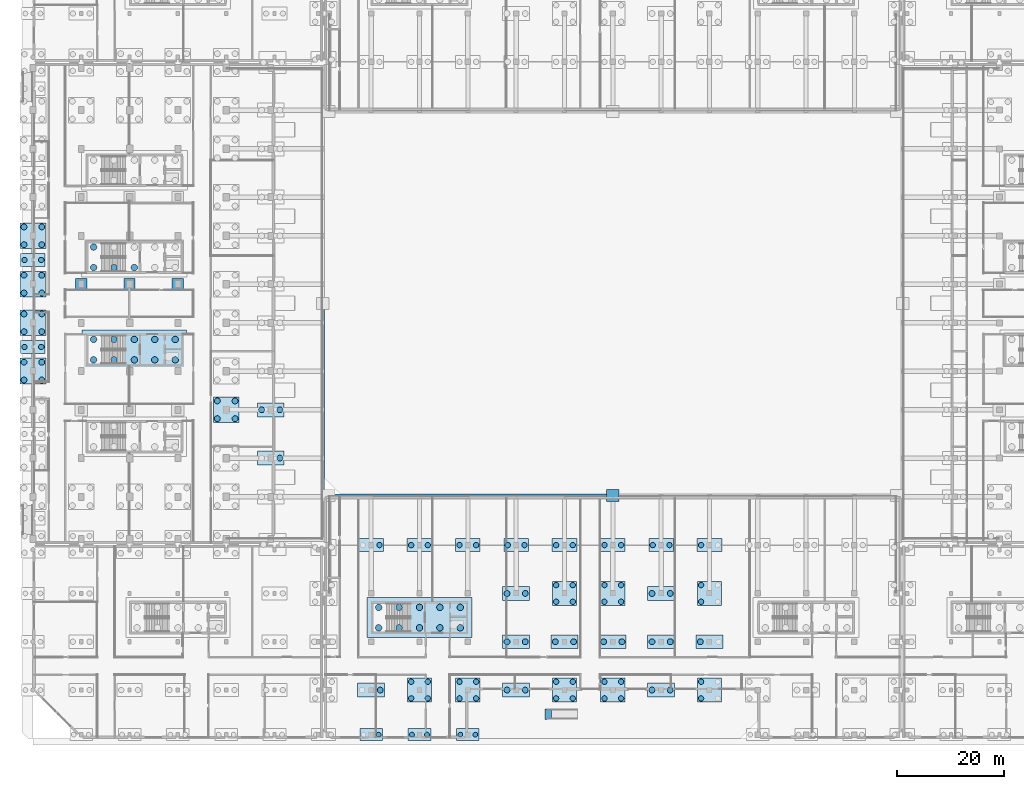
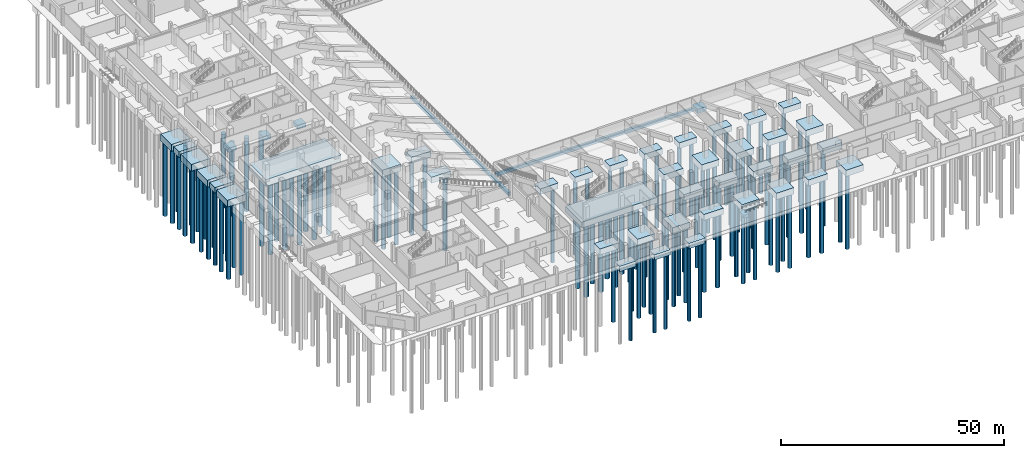
# One storey, part 2 of 53: 116 piles, 47 footings.
"""IFC4 building model written with IfcOpenShell, lengths in metres."""

from ifc_helpers import new_model, si_unit, direction, frame, origin, origin_2d, place, context, subcontext, project, spatial, rectangle, circle, extrude, material, layer, layer_set, material_profile, profile_set, type_object, element, save


model = new_model("IFC4")

# Units and contexts
model_context = context("Model", 3, precision=1e-05, world=origin(), true_north=direction((0.0, 1.0)))
body_context = subcontext(model_context, "Body", "Model", "MODEL_VIEW")
ifc_project = project(units=[si_unit("LENGTHUNIT", "METRE"), si_unit("AREAUNIT", "SQUARE_METRE"), si_unit("VOLUMEUNIT", "CUBIC_METRE"), si_unit("PLANEANGLEUNIT", "RADIAN"), si_unit("MASSUNIT", "GRAM", prefix="KILO"), si_unit("THERMODYNAMICTEMPERATUREUNIT", "KELVIN"), si_unit("POWERUNIT", "WATT")], contexts=[model_context])

# Site, building, storey
site_placement = place(None, origin())
site = spatial("IfcSite", under=ifc_project, at=site_placement, CompositionType="ELEMENT")
building_placement = place(site_placement, origin())
building = spatial("IfcBuilding", under=site, at=building_placement, Name="Sindhuravela Promenade Stadium", CompositionType="ELEMENT")
storey_placement = place(building_placement, origin())
storey = spatial("IfcBuildingStorey", under=building, at=storey_placement, Name="L00", CompositionType="ELEMENT", Elevation=0.0)

# Footings
ifc_material_1 = material(Name="Concrete M40", Category="concrete")
ifc_material_profile_1 = material_profile(ifc_material_1, rectangle(XDim=0.60009765625, YDim=0.89990234375, at=origin_2d()), Name="RC 600x900")
ifc_profile_set_1 = profile_set([ifc_material_profile_1], Name="Concrete M40")
footing_type_1 = type_object("IfcFootingType", Name="FD-FB-600x900", PredefinedType="FOOTING_BEAM", material=ifc_profile_set_1)
footing_1_placement = place(storey_placement, frame((54.0, 37.10009765625, -0.449951171875), z_axis=(0.0, 1.0, 0.0), x_axis=(-1.0, 0.0, 0.0)))
element("IfcFooting", 1, at=footing_1_placement, inside=storey, type_object=footing_type_1, Name="Ground tie beam FB-PW-W1", PredefinedType="FOOTING_BEAM", context=body_context, shape_type="SweptSolid", body=[
    extrude(rectangle(XDim=0.60009765625, YDim=0.89990234375, at=origin_2d()), origin(), (0.0, 0.0, 1.0), 43.89990234375),
])
footing_2_placement = place(storey_placement, frame((55.10009765625, 45.25, -0.449951171875), z_axis=(1.0, 0.0, 0.0), x_axis=(0.0, 1.0, 0.0)))
element("IfcFooting", 2, at=footing_2_placement, inside=storey, type_object=footing_type_1, Name="Ground tie beam FB-PW-S1", PredefinedType="FOOTING_BEAM", context=body_context, shape_type="SweptSolid", body=[
    extrude(rectangle(XDim=0.60009765625, YDim=0.89990234375, at=origin_2d()), origin(), (0.0, 0.0, 1.0), 52.89990234375),
])
ifc_material_2 = material(Name="Concrete M50", Category="concrete")
ifc_layer_1 = layer(ifc_material_2, 1.89990234375)
ifc_layer_set_1 = layer_set([ifc_layer_1], Name="Concrete M50")
footing_type_2 = type_object("IfcFootingType", Name="FD-PC-19500x7400x1900", PredefinedType="PILE_CAP", material=ifc_layer_set_1)
footing_3_placement = place(storey_placement, frame((18.89990234375, 72.39990234375, -1.89990234375), z_axis=(0.0, 0.0, 1.0), x_axis=(1.0, 0.0, 0.0)))
element("IfcFooting", 3, at=footing_3_placement, inside=storey, type_object=footing_type_2, Name="Core pile cap C02", PredefinedType="PILE_CAP", context=body_context, shape_type="SweptSolid", body=[
    extrude(rectangle(XDim=19.5, YDim=7.39990234375, at=origin_2d()), origin(), (0.0, 0.0, 1.0), 1.89990234375),
])
ifc_layer_2 = layer(ifc_material_2, 1.60009765625)
ifc_layer_set_2 = layer_set([ifc_layer_2], Name="Concrete M50")
footing_type_3 = type_object("IfcFootingType", Name="FD-PC-19600x7400x1600", PredefinedType="PILE_CAP", material=ifc_layer_set_2)
footing_4_placement = place(storey_placement, frame((72.0, 22.5, -1.60009765625), z_axis=(0.0, 0.0, 1.0), x_axis=(1.0, 0.0, 0.0)))
element("IfcFooting", 4, at=footing_4_placement, inside=storey, type_object=footing_type_3, Name="Core pile cap C11", PredefinedType="PILE_CAP", context=body_context, shape_type="SweptSolid", body=[
    extrude(rectangle(XDim=19.60009765625, YDim=7.39990234375, at=origin_2d()), origin(), (0.0, 0.0, 1.0), 1.60009765625),
])
ifc_layer_3 = layer(ifc_material_2, 1.449951171875)
ifc_layer_set_3 = layer_set([ifc_layer_3], Name="Concrete M50")
footing_type_4 = type_object("IfcFootingType", Name="FD-PC-4200x2250x1450", PredefinedType="PILE_CAP", material=ifc_layer_set_3)
for number, where, z_axis, x_axis, name in (
    (5, (63.0, 0.699951171875, -1.4501953125), (0.0, 0.0, 1.0), (1.0, 0.0, 0.0), "Pile cap PC30-0212"),
    (6, (72.0, 0.699951171875, -1.4501953125), (0.0, 0.0, 1.0), (1.0, 0.0, 0.0), "Pile cap PC30-0217"),
    (7, (81.0, 0.699951171875, -1.4501953125), (0.0, 0.0, 1.0), (1.0, 0.0, 0.0), "Pile cap PC30-0222"),
):
    element("IfcFooting", number, at=place(storey_placement, frame(where, z_axis=z_axis, x_axis=x_axis)), inside=storey, type_object=footing_type_4, Name=name, PredefinedType="PILE_CAP", context=body_context, shape_type="SweptSolid", body=[
        extrude(rectangle(XDim=4.199951171875, YDim=2.25, at=origin_2d()), origin(), (0.0, 0.0, 1.0), 1.449951171875),
    ])
ifc_layer_4 = layer(ifc_material_2, 1.75)
ifc_layer_set_4 = layer_set([ifc_layer_4], Name="Concrete M50")
footing_type_5 = type_object("IfcFootingType", Name="FD-PC-4500x4500x1750", PredefinedType="PILE_CAP", material=ifc_layer_set_4)
for number, where, z_axis, x_axis, name in (
    (8, (72.0, 9.0, -1.75), (0.0, 0.0, 1.0), (1.0, 0.0, 0.0), "Pile cap PC26-0218"),
    (9, (81.0, 9.0, -1.75), (0.0, 0.0, 1.0), (1.0, 0.0, 0.0), "Pile cap PC26-0223"),
    (10, (99.0, 9.0, -1.75), (0.0, 0.0, 1.0), (1.0, 0.0, 0.0), "Pile cap PC26-0231"),
    (11, (99.0, 27.0, -1.75), (0.0, 0.0, 1.0), (1.0, 0.0, 0.0), "Pile cap PC26-0233"),
    (12, (108.0, 9.0, -1.75), (0.0, 0.0, 1.0), (1.0, 0.0, 0.0), "Pile cap PC26-0235"),
    (13, (108.0, 27.0, -1.75), (0.0, 0.0, 1.0), (1.0, 0.0, 0.0), "Pile cap PC26-0237"),
    (14, (126.0, 9.0, -1.75), (0.0, 0.0, 1.0), (1.0, 0.0, 0.0), "Pile cap PC26-0243"),
    (15, (126.0, 27.0, -1.75), (0.0, 0.0, 1.0), (1.0, 0.0, 0.0), "Pile cap PC26-0245"),
):
    element("IfcFooting", number, at=place(storey_placement, frame(where, z_axis=z_axis, x_axis=x_axis)), inside=storey, type_object=footing_type_5, Name=name, PredefinedType="PILE_CAP", context=body_context, shape_type="SweptSolid", body=[
        extrude(rectangle(XDim=4.5, YDim=4.5, at=origin_2d()), origin(), (0.0, 0.0, 1.0), 1.75),
    ])
ifc_layer_5 = layer(ifc_material_2, 1.550048828125)
ifc_layer_set_5 = layer_set([ifc_layer_5], Name="Concrete M50")
footing_type_6 = type_object("IfcFootingType", Name="FD-PC-4600x2450x1550", PredefinedType="PILE_CAP", material=ifc_layer_set_5)
for number, where, z_axis, x_axis, name in (
    (16, (63.0, 36.0, -1.5498046875), (0.0, 0.0, 1.0), (1.0, 0.0, 0.0), "Pile cap PC25-0216"),
    (17, (72.0, 36.0, -1.5498046875), (0.0, 0.0, 1.0), (1.0, 0.0, 0.0), "Pile cap PC25-0221"),
    (18, (81.0, 36.0, -1.5498046875), (0.0, 0.0, 1.0), (1.0, 0.0, 0.0), "Pile cap PC25-0226"),
    (19, (90.0, 36.0, -1.5498046875), (0.0, 0.0, 1.0), (1.0, 0.0, 0.0), "Pile cap PC25-0230"),
    (20, (99.0, 36.0, -1.5498046875), (0.0, 0.0, 1.0), (1.0, 0.0, 0.0), "Pile cap PC25-0234"),
    (21, (108.0, 36.0, -1.5498046875), (0.0, 0.0, 1.0), (1.0, 0.0, 0.0), "Pile cap PC25-0238"),
    (22, (117.0, 36.0, -1.5498046875), (0.0, 0.0, 1.0), (1.0, 0.0, 0.0), "Pile cap PC25-0242"),
    (23, (126.0, 36.0, -1.5498046875), (0.0, 0.0, 1.0), (1.0, 0.0, 0.0), "Pile cap PC25-0246"),
    (24, (0.0, 72.89990234375, -1.5498046875), (0.0, 0.0, 1.0), (1.0, 0.0, 0.0), "Pile cap PC25-0363"),
    (25, (0.0, 89.10009765625, -1.5498046875), (0.0, 0.0, 1.0), (1.0, 0.0, 0.0), "Pile cap PC25-0365"),
):
    element("IfcFooting", number, at=place(storey_placement, frame(where, z_axis=z_axis, x_axis=x_axis)), inside=storey, type_object=footing_type_6, Name=name, PredefinedType="PILE_CAP", context=body_context, shape_type="SweptSolid", body=[
        extrude(rectangle(XDim=4.60009765625, YDim=2.449951171875, at=origin_2d()), origin(), (0.0, 0.0, 1.0), 1.550048828125),
    ])
ifc_layer_6 = layer(ifc_material_2, 1.85009765625)
ifc_layer_set_6 = layer_set([ifc_layer_6], Name="Concrete M50")
footing_type_7 = type_object("IfcFootingType", Name="FD-PC-4800x4800x1850", PredefinedType="PILE_CAP", material=ifc_layer_set_6)
for number, where, z_axis, x_axis, name in (
    (26, (0.0, 68.39990234375, -1.85009765625), (0.0, 0.0, 1.0), (1.0, 0.0, 0.0), "Pile cap PC18-0005"),
    (27, (0.0, 77.39990234375, -1.85009765625), (0.0, 0.0, 1.0), (1.0, 0.0, 0.0), "Pile cap PC18-0006"),
    (28, (0.0, 84.60009765625, -1.85009765625), (0.0, 0.0, 1.0), (1.0, 0.0, 0.0), "Pile cap PC18-0007"),
    (29, (0.0, 93.60009765625, -1.85009765625), (0.0, 0.0, 1.0), (1.0, 0.0, 0.0), "Pile cap PC18-0008"),
    (30, (36.0, 61.199951171875, -1.85009765625), (0.0, 0.0, 1.0), (1.0, 0.0, 0.0), "Pile cap PC18-0052"),
):
    element("IfcFooting", number, at=place(storey_placement, frame(where, z_axis=z_axis, x_axis=x_axis)), inside=storey, type_object=footing_type_7, Name=name, PredefinedType="PILE_CAP", context=body_context, shape_type="SweptSolid", body=[
        extrude(rectangle(XDim=4.800048828125, YDim=4.800048828125, at=origin_2d()), origin(), (0.0, 0.0, 1.0), 1.85009765625),
    ])
ifc_layer_7 = layer(ifc_material_2, 1.64990234375)
ifc_layer_set_7 = layer_set([ifc_layer_7], Name="Concrete M50")
footing_type_8 = type_object("IfcFootingType", Name="FD-PC-5000x2600x1650", PredefinedType="PILE_CAP", material=ifc_layer_set_7)
for number, where, z_axis, x_axis, name in (
    (31, (44.300048828125, 52.199951171875, -1.64990234375), (0.0, 0.0, 1.0), (1.0, 0.0, 0.0), "Pile cap PC23-0063"),
    (32, (44.300048828125, 61.199951171875, -1.64990234375), (0.0, 0.0, 1.0), (1.0, 0.0, 0.0), "Pile cap PC23-0064"),
    (33, (63.0, 9.0, -1.64990234375), (0.0, 0.0, 1.0), (1.0, 0.0, 0.0), "Pile cap PC23-0213"),
    (34, (90.0, 9.0, -1.64990234375), (0.0, 0.0, 1.0), (1.0, 0.0, 0.0), "Pile cap PC23-0227"),
    (35, (90.0, 18.0, -1.64990234375), (0.0, 0.0, 1.0), (1.0, 0.0, 0.0), "Pile cap PC23-0228"),
    (36, (90.0, 27.0, -1.64990234375), (0.0, 0.0, 1.0), (1.0, 0.0, 0.0), "Pile cap PC23-0229"),
    (37, (99.0, 18.0, -1.64990234375), (0.0, 0.0, 1.0), (1.0, 0.0, 0.0), "Pile cap PC23-0232"),
    (38, (108.0, 18.0, -1.64990234375), (0.0, 0.0, 1.0), (1.0, 0.0, 0.0), "Pile cap PC23-0236"),
    (39, (117.0, 9.0, -1.64990234375), (0.0, 0.0, 1.0), (1.0, 0.0, 0.0), "Pile cap PC23-0239"),
    (40, (117.0, 18.0, -1.64990234375), (0.0, 0.0, 1.0), (1.0, 0.0, 0.0), "Pile cap PC23-0240"),
    (41, (117.0, 27.0, -1.64990234375), (0.0, 0.0, 1.0), (1.0, 0.0, 0.0), "Pile cap PC23-0241"),
    (42, (126.0, 18.0, -1.64990234375), (0.0, 0.0, 1.0), (1.0, 0.0, 0.0), "Pile cap PC23-0244"),
):
    element("IfcFooting", number, at=place(storey_placement, frame(where, z_axis=z_axis, x_axis=x_axis)), inside=storey, type_object=footing_type_8, Name=name, PredefinedType="PILE_CAP", context=body_context, shape_type="SweptSolid", body=[
        extrude(rectangle(XDim=5.0, YDim=2.60009765625, at=origin_2d()), origin(), (0.0, 0.0, 1.0), 1.64990234375),
    ])
ifc_layer_8 = layer(ifc_material_2, 0.800048828125)
ifc_layer_set_8 = layer_set([ifc_layer_8], Name="Concrete M50")
footing_type_9 = type_object("IfcFootingType", Name="FD-PF-1200x2000x800", PredefinedType="PAD_FOOTING", material=ifc_layer_set_8)
footing_5_placement = place(storey_placement, frame((96.0, 4.5, -1.25), z_axis=(0.0, 0.0, 1.0), x_axis=(1.0, 0.0, 0.0)))
element("IfcFooting", 43, at=footing_5_placement, inside=storey, type_object=footing_type_9, Name="Step-free ramp toe pad footing 05", PredefinedType="PAD_FOOTING", context=body_context, shape_type="SweptSolid", body=[
    extrude(rectangle(XDim=1.199951171875, YDim=2.0, at=origin_2d()), origin(), (0.0, 0.0, 1.0), 0.800048828125),
])
ifc_layer_9 = layer(ifc_material_2, 1.14990234375)
ifc_layer_set_9 = layer_set([ifc_layer_9], Name="Concrete M50")
footing_type_10 = type_object("IfcFootingType", Name="FD-PF-2100x2100x1150", PredefinedType="PAD_FOOTING", material=ifc_layer_set_9)
for number, where, z_axis, x_axis, name in (
    (44, (9.0, 84.60009765625, -1.14990234375), (0.0, 0.0, 1.0), (1.0, 0.0, 0.0), "Pad footing PF20-0019"),
    (45, (18.0, 84.60009765625, -1.14990234375), (0.0, 0.0, 1.0), (1.0, 0.0, 0.0), "Pad footing PF20-0031"),
    (46, (27.0, 84.60009765625, -1.14990234375), (0.0, 0.0, 1.0), (1.0, 0.0, 0.0), "Pad footing PF20-0043"),
):
    element("IfcFooting", number, at=place(storey_placement, frame(where, z_axis=z_axis, x_axis=x_axis)), inside=storey, type_object=footing_type_10, Name=name, PredefinedType="PAD_FOOTING", context=body_context, shape_type="SweptSolid", body=[
        extrude(rectangle(XDim=2.10009765625, YDim=2.10009765625, at=origin_2d()), origin(), (0.0, 0.0, 1.0), 1.14990234375),
    ])
ifc_layer_10 = layer(ifc_material_2, 1.25)
ifc_layer_set_10 = layer_set([ifc_layer_10], Name="Concrete M50")
footing_type_11 = type_object("IfcFootingType", Name="FD-PF-2300x2300x1250", PredefinedType="PAD_FOOTING", material=ifc_layer_set_10)
footing_6_placement = place(storey_placement, frame((108.0, 45.25, -1.25), z_axis=(0.0, 0.0, 1.0), x_axis=(1.0, 0.0, 0.0)))
element("IfcFooting", 47, at=footing_6_placement, inside=storey, type_object=footing_type_11, Name="Bowl plinth pad footing 8", PredefinedType="PAD_FOOTING", context=body_context, shape_type="SweptSolid", body=[
    extrude(rectangle(XDim=2.300048828125, YDim=2.300048828125, at=origin_2d()), origin(), (0.0, 0.0, 1.0), 1.25),
])

# Piles
ifc_material_profile_2 = material_profile(ifc_material_1, circle(Radius=0.5, at=origin_2d()), Name="BORED PILE D1000")
ifc_profile_set_2 = profile_set([ifc_material_profile_2], Name="Concrete M40")
pile_type_1 = type_object("IfcPileType", Name="FD-PL-1000", PredefinedType="BORED", material=ifc_profile_set_2)
pile_placement = place(storey_placement, frame((64.550048828125, 36.0, -1.449951171875), z_axis=(0.0, 0.0, -1.0), x_axis=(1.0, 0.0, 0.0)))
element("IfcPile", 48, at=pile_placement, inside=storey, type_object=pile_type_1, Name="Bored pile P1000-0616", PredefinedType="BORED", context=body_context, shape_type="SweptSolid", body=[
    extrude(circle(Radius=0.5, at=origin_2d()), origin(), (0.0, 0.0, 1.0), 20.550048828125),
])
for number, where, z_axis, x_axis, name in (
    (49, (70.449951171875, 7.449951171875, -1.64990234375), (0.0, 0.0, -1.0), (1.0, 0.0, 0.0), "Bored pile P1000-0619"),
    (50, (73.550048828125, 7.449951171875, -1.64990234375), (0.0, 0.0, -1.0), (1.0, 0.0, 0.0), "Bored pile P1000-0620"),
    (51, (70.449951171875, 10.550048828125, -1.64990234375), (0.0, 0.0, -1.0), (1.0, 0.0, 0.0), "Bored pile P1000-0621"),
    (52, (73.550048828125, 10.550048828125, -1.64990234375), (0.0, 0.0, -1.0), (1.0, 0.0, 0.0), "Bored pile P1000-0622"),
):
    element("IfcPile", number, at=place(storey_placement, frame(where, z_axis=z_axis, x_axis=x_axis)), inside=storey, type_object=pile_type_1, Name=name, PredefinedType="BORED", context=body_context, shape_type="SweptSolid", body=[
        extrude(circle(Radius=0.5, at=origin_2d()), origin(), (0.0, 0.0, 1.0), 20.35009765625),
    ])
for number, where, z_axis, x_axis, name in (
    (53, (70.449951171875, 36.0, -1.449951171875), (0.0, 0.0, -1.0), (1.0, 0.0, 0.0), "Bored pile P1000-0623"),
    (54, (73.550048828125, 36.0, -1.449951171875), (0.0, 0.0, -1.0), (1.0, 0.0, 0.0), "Bored pile P1000-0624"),
):
    element("IfcPile", number, at=place(storey_placement, frame(where, z_axis=z_axis, x_axis=x_axis)), inside=storey, type_object=pile_type_1, Name=name, PredefinedType="BORED", context=body_context, shape_type="SweptSolid", body=[
        extrude(circle(Radius=0.5, at=origin_2d()), origin(), (0.0, 0.0, 1.0), 20.550048828125),
    ])
for number, where, z_axis, x_axis, name in (
    (55, (79.449951171875, 7.449951171875, -1.64990234375), (0.0, 0.0, -1.0), (1.0, 0.0, 0.0), "Bored pile P1000-0627"),
    (56, (82.550048828125, 7.449951171875, -1.64990234375), (0.0, 0.0, -1.0), (1.0, 0.0, 0.0), "Bored pile P1000-0628"),
    (57, (79.449951171875, 10.550048828125, -1.64990234375), (0.0, 0.0, -1.0), (1.0, 0.0, 0.0), "Bored pile P1000-0629"),
    (58, (82.550048828125, 10.550048828125, -1.64990234375), (0.0, 0.0, -1.0), (1.0, 0.0, 0.0), "Bored pile P1000-0630"),
):
    element("IfcPile", number, at=place(storey_placement, frame(where, z_axis=z_axis, x_axis=x_axis)), inside=storey, type_object=pile_type_1, Name=name, PredefinedType="BORED", context=body_context, shape_type="SweptSolid", body=[
        extrude(circle(Radius=0.5, at=origin_2d()), origin(), (0.0, 0.0, 1.0), 20.35009765625),
    ])
for number, where, z_axis, x_axis, name in (
    (59, (79.449951171875, 36.0, -1.449951171875), (0.0, 0.0, -1.0), (1.0, 0.0, 0.0), "Bored pile P1000-0631"),
    (60, (82.550048828125, 36.0, -1.449951171875), (0.0, 0.0, -1.0), (1.0, 0.0, 0.0), "Bored pile P1000-0632"),
    (61, (88.449951171875, 36.0, -1.449951171875), (0.0, 0.0, -1.0), (1.0, 0.0, 0.0), "Bored pile P1000-0639"),
    (62, (91.550048828125, 36.0, -1.449951171875), (0.0, 0.0, -1.0), (1.0, 0.0, 0.0), "Bored pile P1000-0640"),
):
    element("IfcPile", number, at=place(storey_placement, frame(where, z_axis=z_axis, x_axis=x_axis)), inside=storey, type_object=pile_type_1, Name=name, PredefinedType="BORED", context=body_context, shape_type="SweptSolid", body=[
        extrude(circle(Radius=0.5, at=origin_2d()), origin(), (0.0, 0.0, 1.0), 20.550048828125),
    ])
for number, where, z_axis, x_axis, name in (
    (63, (97.449951171875, 7.449951171875, -1.64990234375), (0.0, 0.0, -1.0), (1.0, 0.0, 0.0), "Bored pile P1000-0641"),
    (64, (100.550048828125, 7.449951171875, -1.64990234375), (0.0, 0.0, -1.0), (1.0, 0.0, 0.0), "Bored pile P1000-0642"),
    (65, (97.449951171875, 10.550048828125, -1.64990234375), (0.0, 0.0, -1.0), (1.0, 0.0, 0.0), "Bored pile P1000-0643"),
    (66, (100.550048828125, 10.550048828125, -1.64990234375), (0.0, 0.0, -1.0), (1.0, 0.0, 0.0), "Bored pile P1000-0644"),
    (67, (97.449951171875, 25.449951171875, -1.64990234375), (0.0, 0.0, -1.0), (1.0, 0.0, 0.0), "Bored pile P1000-0647"),
    (68, (100.550048828125, 25.449951171875, -1.64990234375), (0.0, 0.0, -1.0), (1.0, 0.0, 0.0), "Bored pile P1000-0648"),
    (69, (97.449951171875, 28.550048828125, -1.64990234375), (0.0, 0.0, -1.0), (1.0, 0.0, 0.0), "Bored pile P1000-0649"),
    (70, (100.550048828125, 28.550048828125, -1.64990234375), (0.0, 0.0, -1.0), (1.0, 0.0, 0.0), "Bored pile P1000-0650"),
):
    element("IfcPile", number, at=place(storey_placement, frame(where, z_axis=z_axis, x_axis=x_axis)), inside=storey, type_object=pile_type_1, Name=name, PredefinedType="BORED", context=body_context, shape_type="SweptSolid", body=[
        extrude(circle(Radius=0.5, at=origin_2d()), origin(), (0.0, 0.0, 1.0), 20.35009765625),
    ])
for number, where, z_axis, x_axis, name in (
    (71, (97.449951171875, 36.0, -1.449951171875), (0.0, 0.0, -1.0), (1.0, 0.0, 0.0), "Bored pile P1000-0651"),
    (72, (100.550048828125, 36.0, -1.449951171875), (0.0, 0.0, -1.0), (1.0, 0.0, 0.0), "Bored pile P1000-0652"),
):
    element("IfcPile", number, at=place(storey_placement, frame(where, z_axis=z_axis, x_axis=x_axis)), inside=storey, type_object=pile_type_1, Name=name, PredefinedType="BORED", context=body_context, shape_type="SweptSolid", body=[
        extrude(circle(Radius=0.5, at=origin_2d()), origin(), (0.0, 0.0, 1.0), 20.550048828125),
    ])
for number, where, z_axis, x_axis, name in (
    (73, (106.449951171875, 7.449951171875, -1.64990234375), (0.0, 0.0, -1.0), (1.0, 0.0, 0.0), "Bored pile P1000-0653"),
    (74, (109.550048828125, 7.449951171875, -1.64990234375), (0.0, 0.0, -1.0), (1.0, 0.0, 0.0), "Bored pile P1000-0654"),
    (75, (106.449951171875, 10.550048828125, -1.64990234375), (0.0, 0.0, -1.0), (1.0, 0.0, 0.0), "Bored pile P1000-0655"),
    (76, (109.550048828125, 10.550048828125, -1.64990234375), (0.0, 0.0, -1.0), (1.0, 0.0, 0.0), "Bored pile P1000-0656"),
    (77, (106.449951171875, 25.449951171875, -1.64990234375), (0.0, 0.0, -1.0), (1.0, 0.0, 0.0), "Bored pile P1000-0659"),
    (78, (109.550048828125, 25.449951171875, -1.64990234375), (0.0, 0.0, -1.0), (1.0, 0.0, 0.0), "Bored pile P1000-0660"),
    (79, (106.449951171875, 28.550048828125, -1.64990234375), (0.0, 0.0, -1.0), (1.0, 0.0, 0.0), "Bored pile P1000-0661"),
    (80, (109.550048828125, 28.550048828125, -1.64990234375), (0.0, 0.0, -1.0), (1.0, 0.0, 0.0), "Bored pile P1000-0662"),
):
    element("IfcPile", number, at=place(storey_placement, frame(where, z_axis=z_axis, x_axis=x_axis)), inside=storey, type_object=pile_type_1, Name=name, PredefinedType="BORED", context=body_context, shape_type="SweptSolid", body=[
        extrude(circle(Radius=0.5, at=origin_2d()), origin(), (0.0, 0.0, 1.0), 20.35009765625),
    ])
for number, where, z_axis, x_axis, name in (
    (81, (106.449951171875, 36.0, -1.449951171875), (0.0, 0.0, -1.0), (1.0, 0.0, 0.0), "Bored pile P1000-0663"),
    (82, (109.550048828125, 36.0, -1.449951171875), (0.0, 0.0, -1.0), (1.0, 0.0, 0.0), "Bored pile P1000-0664"),
    (83, (115.449951171875, 36.0, -1.449951171875), (0.0, 0.0, -1.0), (1.0, 0.0, 0.0), "Bored pile P1000-0671"),
    (84, (118.550048828125, 36.0, -1.449951171875), (0.0, 0.0, -1.0), (1.0, 0.0, 0.0), "Bored pile P1000-0672"),
):
    element("IfcPile", number, at=place(storey_placement, frame(where, z_axis=z_axis, x_axis=x_axis)), inside=storey, type_object=pile_type_1, Name=name, PredefinedType="BORED", context=body_context, shape_type="SweptSolid", body=[
        extrude(circle(Radius=0.5, at=origin_2d()), origin(), (0.0, 0.0, 1.0), 20.550048828125),
    ])
for number, where, z_axis, x_axis, name in (
    (85, (124.449951171875, 7.449951171875, -1.64990234375), (0.0, 0.0, -1.0), (1.0, 0.0, 0.0), "Bored pile P1000-0673"),
    (86, (124.449951171875, 10.550048828125, -1.64990234375), (0.0, 0.0, -1.0), (1.0, 0.0, 0.0), "Bored pile P1000-0675"),
    (87, (124.449951171875, 25.449951171875, -1.64990234375), (0.0, 0.0, -1.0), (1.0, 0.0, 0.0), "Bored pile P1000-0679"),
    (88, (124.449951171875, 28.550048828125, -1.64990234375), (0.0, 0.0, -1.0), (1.0, 0.0, 0.0), "Bored pile P1000-0681"),
):
    element("IfcPile", number, at=place(storey_placement, frame(where, z_axis=z_axis, x_axis=x_axis)), inside=storey, type_object=pile_type_1, Name=name, PredefinedType="BORED", context=body_context, shape_type="SweptSolid", body=[
        extrude(circle(Radius=0.5, at=origin_2d()), origin(), (0.0, 0.0, 1.0), 20.35009765625),
    ])
for number, where, z_axis, x_axis, name in (
    (89, (124.449951171875, 36.0, -1.449951171875), (0.0, 0.0, -1.0), (1.0, 0.0, 0.0), "Bored pile P1000-0683"),
    (90, (-1.550048828125, 72.89990234375, -1.449951171875), (0.0, 0.0, -1.0), (1.0, 0.0, 0.0), "Bored pile P1000-0865"),
    (91, (1.550048828125, 72.89990234375, -1.449951171875), (0.0, 0.0, -1.0), (1.0, 0.0, 0.0), "Bored pile P1000-0866"),
    (92, (-1.550048828125, 89.10009765625, -1.449951171875), (0.0, 0.0, -1.0), (1.0, 0.0, 0.0), "Bored pile P1000-0869"),
    (93, (1.550048828125, 89.10009765625, -1.449951171875), (0.0, 0.0, -1.0), (1.0, 0.0, 0.0), "Bored pile P1000-0870"),
):
    element("IfcPile", number, at=place(storey_placement, frame(where, z_axis=z_axis, x_axis=x_axis)), inside=storey, type_object=pile_type_1, Name=name, PredefinedType="BORED", context=body_context, shape_type="SweptSolid", body=[
        extrude(circle(Radius=0.5, at=origin_2d()), origin(), (0.0, 0.0, 1.0), 20.550048828125),
    ])
ifc_material_profile_3 = material_profile(ifc_material_1, circle(Radius=0.550048828125, at=origin_2d()), Name="BORED PILE D1100")
ifc_profile_set_3 = profile_set([ifc_material_profile_3], Name="Concrete M40")
pile_type_2 = type_object("IfcPileType", Name="FD-PL-1100", PredefinedType="BORED", material=ifc_profile_set_3)
for number, where, z_axis, x_axis, name in (
    (94, (-1.64990234375, 66.75, -1.75), (0.0, 0.0, -1.0), (1.0, 0.0, 0.0), "Bored pile P1100-0177"),
    (95, (1.64990234375, 66.75, -1.75), (0.0, 0.0, -1.0), (1.0, 0.0, 0.0), "Bored pile P1100-0178"),
    (96, (-1.64990234375, 70.050048828125, -1.75), (0.0, 0.0, -1.0), (1.0, 0.0, 0.0), "Bored pile P1100-0179"),
    (97, (1.64990234375, 70.050048828125, -1.75), (0.0, 0.0, -1.0), (1.0, 0.0, 0.0), "Bored pile P1100-0180"),
    (98, (-1.64990234375, 75.75, -1.75), (0.0, 0.0, -1.0), (1.0, 0.0, 0.0), "Bored pile P1100-0181"),
    (99, (1.64990234375, 75.75, -1.75), (0.0, 0.0, -1.0), (1.0, 0.0, 0.0), "Bored pile P1100-0182"),
    (100, (-1.64990234375, 79.050048828125, -1.75), (0.0, 0.0, -1.0), (1.0, 0.0, 0.0), "Bored pile P1100-0183"),
    (101, (1.64990234375, 79.050048828125, -1.75), (0.0, 0.0, -1.0), (1.0, 0.0, 0.0), "Bored pile P1100-0184"),
    (102, (-1.64990234375, 82.949951171875, -1.75), (0.0, 0.0, -1.0), (1.0, 0.0, 0.0), "Bored pile P1100-0185"),
    (103, (1.64990234375, 82.949951171875, -1.75), (0.0, 0.0, -1.0), (1.0, 0.0, 0.0), "Bored pile P1100-0186"),
    (104, (-1.64990234375, 86.25, -1.75), (0.0, 0.0, -1.0), (1.0, 0.0, 0.0), "Bored pile P1100-0187"),
    (105, (1.64990234375, 86.25, -1.75), (0.0, 0.0, -1.0), (1.0, 0.0, 0.0), "Bored pile P1100-0188"),
    (106, (-1.64990234375, 91.949951171875, -1.75), (0.0, 0.0, -1.0), (1.0, 0.0, 0.0), "Bored pile P1100-0189"),
    (107, (1.64990234375, 91.949951171875, -1.75), (0.0, 0.0, -1.0), (1.0, 0.0, 0.0), "Bored pile P1100-0190"),
    (108, (-1.64990234375, 95.25, -1.75), (0.0, 0.0, -1.0), (1.0, 0.0, 0.0), "Bored pile P1100-0191"),
    (109, (1.64990234375, 95.25, -1.75), (0.0, 0.0, -1.0), (1.0, 0.0, 0.0), "Bored pile P1100-0192"),
    (110, (34.35009765625, 59.550048828125, -1.75), (0.0, 0.0, -1.0), (1.0, 0.0, 0.0), "Bored pile P1100-0269"),
    (111, (37.64990234375, 59.550048828125, -1.75), (0.0, 0.0, -1.0), (1.0, 0.0, 0.0), "Bored pile P1100-0270"),
    (112, (34.35009765625, 62.85009765625, -1.75), (0.0, 0.0, -1.0), (1.0, 0.0, 0.0), "Bored pile P1100-0271"),
    (113, (37.64990234375, 62.85009765625, -1.75), (0.0, 0.0, -1.0), (1.0, 0.0, 0.0), "Bored pile P1100-0272"),
):
    element("IfcPile", number, at=place(storey_placement, frame(where, z_axis=z_axis, x_axis=x_axis)), inside=storey, type_object=pile_type_2, Name=name, PredefinedType="BORED", context=body_context, shape_type="SweptSolid", body=[
        extrude(circle(Radius=0.550048828125, at=origin_2d()), origin(), (0.0, 0.0, 1.0), 20.25),
    ])
for number, where, z_axis, x_axis, name in (
    (114, (46.0, 52.199951171875, -1.550048828125), (0.0, 0.0, -1.0), (1.0, 0.0, 0.0), "Bored pile P1100-0310"),
    (115, (42.60009765625, 61.199951171875, -1.550048828125), (0.0, 0.0, -1.0), (1.0, 0.0, 0.0), "Bored pile P1100-0311"),
    (116, (46.0, 61.199951171875, -1.550048828125), (0.0, 0.0, -1.0), (1.0, 0.0, 0.0), "Bored pile P1100-0312"),
    (117, (64.699951171875, 9.0, -1.550048828125), (0.0, 0.0, -1.0), (1.0, 0.0, 0.0), "Bored pile P1100-0614"),
    (118, (88.300048828125, 9.0, -1.550048828125), (0.0, 0.0, -1.0), (1.0, 0.0, 0.0), "Bored pile P1100-0633"),
    (119, (91.699951171875, 9.0, -1.550048828125), (0.0, 0.0, -1.0), (1.0, 0.0, 0.0), "Bored pile P1100-0634"),
    (120, (88.300048828125, 18.0, -1.550048828125), (0.0, 0.0, -1.0), (1.0, 0.0, 0.0), "Bored pile P1100-0635"),
    (121, (91.699951171875, 18.0, -1.550048828125), (0.0, 0.0, -1.0), (1.0, 0.0, 0.0), "Bored pile P1100-0636"),
    (122, (88.300048828125, 27.0, -1.550048828125), (0.0, 0.0, -1.0), (1.0, 0.0, 0.0), "Bored pile P1100-0637"),
    (123, (91.699951171875, 27.0, -1.550048828125), (0.0, 0.0, -1.0), (1.0, 0.0, 0.0), "Bored pile P1100-0638"),
    (124, (97.300048828125, 18.0, -1.550048828125), (0.0, 0.0, -1.0), (1.0, 0.0, 0.0), "Bored pile P1100-0645"),
    (125, (100.699951171875, 18.0, -1.550048828125), (0.0, 0.0, -1.0), (1.0, 0.0, 0.0), "Bored pile P1100-0646"),
    (126, (106.300048828125, 18.0, -1.550048828125), (0.0, 0.0, -1.0), (1.0, 0.0, 0.0), "Bored pile P1100-0657"),
    (127, (109.699951171875, 18.0, -1.550048828125), (0.0, 0.0, -1.0), (1.0, 0.0, 0.0), "Bored pile P1100-0658"),
    (128, (115.300048828125, 9.0, -1.550048828125), (0.0, 0.0, -1.0), (1.0, 0.0, 0.0), "Bored pile P1100-0665"),
    (129, (118.699951171875, 9.0, -1.550048828125), (0.0, 0.0, -1.0), (1.0, 0.0, 0.0), "Bored pile P1100-0666"),
    (130, (115.300048828125, 18.0, -1.550048828125), (0.0, 0.0, -1.0), (1.0, 0.0, 0.0), "Bored pile P1100-0667"),
    (131, (118.699951171875, 18.0, -1.550048828125), (0.0, 0.0, -1.0), (1.0, 0.0, 0.0), "Bored pile P1100-0668"),
    (132, (115.300048828125, 27.0, -1.550048828125), (0.0, 0.0, -1.0), (1.0, 0.0, 0.0), "Bored pile P1100-0669"),
    (133, (118.699951171875, 27.0, -1.550048828125), (0.0, 0.0, -1.0), (1.0, 0.0, 0.0), "Bored pile P1100-0670"),
    (134, (124.300048828125, 18.0, -1.550048828125), (0.0, 0.0, -1.0), (1.0, 0.0, 0.0), "Bored pile P1100-0677"),
):
    element("IfcPile", number, at=place(storey_placement, frame(where, z_axis=z_axis, x_axis=x_axis)), inside=storey, type_object=pile_type_2, Name=name, PredefinedType="BORED", context=body_context, shape_type="SweptSolid", body=[
        extrude(circle(Radius=0.550048828125, at=origin_2d()), origin(), (0.0, 0.0, 1.0), 20.449951171875),
    ])
ifc_material_profile_4 = material_profile(ifc_material_1, circle(Radius=0.60009765625, at=origin_2d()), Name="BORED PILE D1200")
ifc_profile_set_4 = profile_set([ifc_material_profile_4], Name="Concrete M40")
pile_type_3 = type_object("IfcPileType", Name="FD-PL-1200", PredefinedType="BORED", material=ifc_profile_set_4)
for number, where, z_axis, x_axis, name in (
    (135, (11.300048828125, 70.5, -1.800048828125), (0.0, 0.0, -1.0), (1.0, 0.0, 0.0), "Bored pile P1200-0011"),
    (136, (11.300048828125, 74.300048828125, -1.800048828125), (0.0, 0.0, -1.0), (1.0, 0.0, 0.0), "Bored pile P1200-0012"),
    (137, (15.10009765625, 70.5, -1.800048828125), (0.0, 0.0, -1.0), (1.0, 0.0, 0.0), "Bored pile P1200-0013"),
    (138, (15.10009765625, 74.300048828125, -1.800048828125), (0.0, 0.0, -1.0), (1.0, 0.0, 0.0), "Bored pile P1200-0014"),
    (139, (18.89990234375, 70.5, -1.800048828125), (0.0, 0.0, -1.0), (1.0, 0.0, 0.0), "Bored pile P1200-0015"),
    (140, (18.89990234375, 74.300048828125, -1.800048828125), (0.0, 0.0, -1.0), (1.0, 0.0, 0.0), "Bored pile P1200-0016"),
    (141, (22.699951171875, 70.5, -1.800048828125), (0.0, 0.0, -1.0), (1.0, 0.0, 0.0), "Bored pile P1200-0017"),
    (142, (22.699951171875, 74.300048828125, -1.800048828125), (0.0, 0.0, -1.0), (1.0, 0.0, 0.0), "Bored pile P1200-0018"),
    (143, (26.5, 70.5, -1.800048828125), (0.0, 0.0, -1.0), (1.0, 0.0, 0.0), "Bored pile P1200-0019"),
    (144, (26.5, 74.300048828125, -1.800048828125), (0.0, 0.0, -1.0), (1.0, 0.0, 0.0), "Bored pile P1200-0020"),
    (145, (11.300048828125, 87.699951171875, -1.800048828125), (0.0, 0.0, -1.0), (1.0, 0.0, 0.0), "Bored pile P1200-0021"),
    (146, (11.300048828125, 91.5, -1.800048828125), (0.0, 0.0, -1.0), (1.0, 0.0, 0.0), "Bored pile P1200-0022"),
    (147, (15.10009765625, 87.699951171875, -1.800048828125), (0.0, 0.0, -1.0), (1.0, 0.0, 0.0), "Bored pile P1200-0023"),
    (148, (18.89990234375, 87.699951171875, -1.800048828125), (0.0, 0.0, -1.0), (1.0, 0.0, 0.0), "Bored pile P1200-0025"),
):
    element("IfcPile", number, at=place(storey_placement, frame(where, z_axis=z_axis, x_axis=x_axis)), inside=storey, type_object=pile_type_3, Name=name, PredefinedType="BORED", context=body_context, shape_type="SweptSolid", body=[
        extrude(circle(Radius=0.60009765625, at=origin_2d()), origin(), (0.0, 0.0, 1.0), 20.199951171875),
    ])
for number, where, z_axis, x_axis, name in (
    (149, (64.39990234375, 20.60009765625, -1.5), (0.0, 0.0, -1.0), (1.0, 0.0, 0.0), "Bored pile P1200-0101"),
    (150, (64.39990234375, 24.39990234375, -1.5), (0.0, 0.0, -1.0), (1.0, 0.0, 0.0), "Bored pile P1200-0102"),
    (151, (68.199951171875, 20.60009765625, -1.5), (0.0, 0.0, -1.0), (1.0, 0.0, 0.0), "Bored pile P1200-0103"),
    (152, (68.199951171875, 24.39990234375, -1.5), (0.0, 0.0, -1.0), (1.0, 0.0, 0.0), "Bored pile P1200-0104"),
    (153, (72.0, 20.60009765625, -1.5), (0.0, 0.0, -1.0), (1.0, 0.0, 0.0), "Bored pile P1200-0105"),
    (154, (72.0, 24.39990234375, -1.5), (0.0, 0.0, -1.0), (1.0, 0.0, 0.0), "Bored pile P1200-0106"),
    (155, (75.800048828125, 20.60009765625, -1.5), (0.0, 0.0, -1.0), (1.0, 0.0, 0.0), "Bored pile P1200-0107"),
    (156, (75.800048828125, 24.39990234375, -1.5), (0.0, 0.0, -1.0), (1.0, 0.0, 0.0), "Bored pile P1200-0108"),
    (157, (79.60009765625, 20.60009765625, -1.5), (0.0, 0.0, -1.0), (1.0, 0.0, 0.0), "Bored pile P1200-0109"),
    (158, (79.60009765625, 24.39990234375, -1.5), (0.0, 0.0, -1.0), (1.0, 0.0, 0.0), "Bored pile P1200-0110"),
):
    element("IfcPile", number, at=place(storey_placement, frame(where, z_axis=z_axis, x_axis=x_axis)), inside=storey, type_object=pile_type_3, Name=name, PredefinedType="BORED", context=body_context, shape_type="SweptSolid", body=[
        extrude(circle(Radius=0.60009765625, at=origin_2d()), origin(), (0.0, 0.0, 1.0), 20.5),
    ])
ifc_material_profile_5 = material_profile(ifc_material_1, circle(Radius=0.449951171875, at=origin_2d()), Name="BORED PILE D900")
ifc_profile_set_5 = profile_set([ifc_material_profile_5], Name="Concrete M40")
pile_type_4 = type_object("IfcPileType", Name="FD-PL-900", PredefinedType="BORED", material=ifc_profile_set_5)
for number, where, z_axis, x_axis, name in (
    (159, (64.39990234375, 0.699951171875, -1.35009765625), (0.0, 0.0, -1.0), (1.0, 0.0, 0.0), "Bored pile P900-0612"),
    (160, (70.60009765625, 0.699951171875, -1.35009765625), (0.0, 0.0, -1.0), (1.0, 0.0, 0.0), "Bored pile P900-0617"),
    (161, (73.39990234375, 0.699951171875, -1.35009765625), (0.0, 0.0, -1.0), (1.0, 0.0, 0.0), "Bored pile P900-0618"),
    (162, (79.60009765625, 0.699951171875, -1.35009765625), (0.0, 0.0, -1.0), (1.0, 0.0, 0.0), "Bored pile P900-0625"),
    (163, (82.39990234375, 0.699951171875, -1.35009765625), (0.0, 0.0, -1.0), (1.0, 0.0, 0.0), "Bored pile P900-0626"),
):
    element("IfcPile", number, at=place(storey_placement, frame(where, z_axis=z_axis, x_axis=x_axis)), inside=storey, type_object=pile_type_4, Name=name, PredefinedType="BORED", context=body_context, shape_type="SweptSolid", body=[
        extrude(circle(Radius=0.449951171875, at=origin_2d()), origin(), (0.0, 0.0, 1.0), 20.64990234375),
    ])

save(model, "model.ifc")
